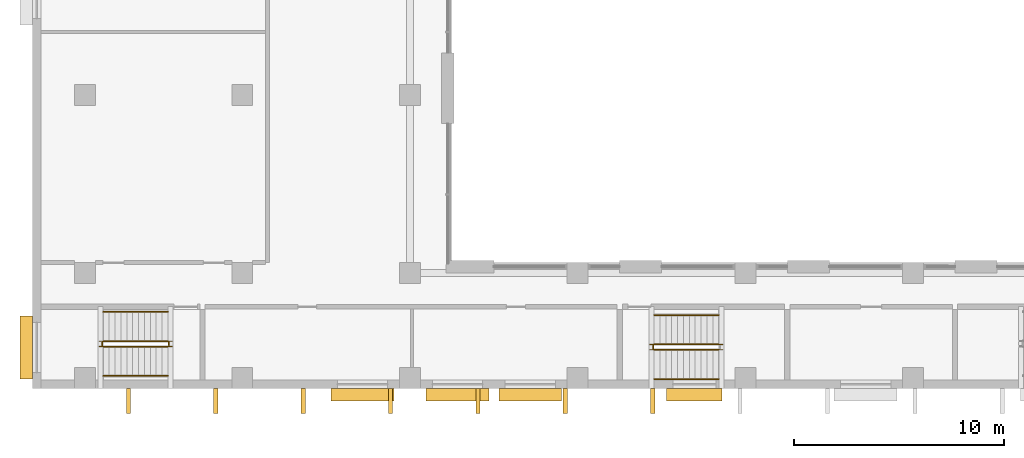
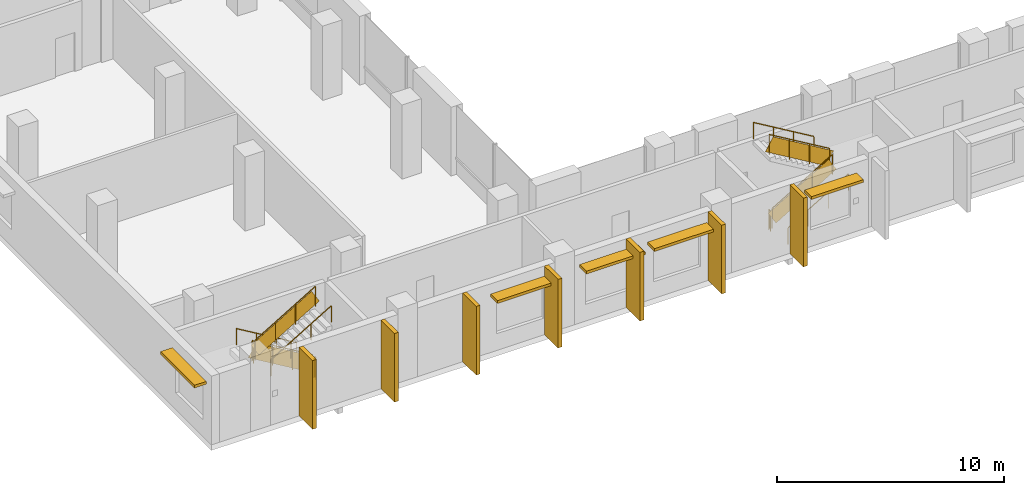
# One storey, part 18 of 25: 12 shading devices, 11 railings.
"""IFC4 building model written with IfcOpenShell, lengths in metres."""

import ifcopenshell
import ifcopenshell.guid

model = None  # the IFC model being written
_history = None  # IfcOwnerHistory: only IFC2X3 demands one
_inside = {}  # id of a spatial element -> (the spatial element, [elements in it])
_under = {}  # id of a project, library or spatial element -> (it, [spatial elements below it])
_declared = {}  # id of a project -> (the project, [libraries it declares])
_typed = {}  # id of a type object -> (the type object, [elements of that type])
_made_of = {}  # id of a material, layer set ... -> (it, [elements and type objects made of it])


def new_model(schema):
    """Start an empty IFC model of exactly this schema.

    Asked for "IFC4X3", IfcOpenShell would pick the latest addendum, in which some entities
    have other attributes; the version numbers below select the first issue.
    IFC2X3 requires an IfcOwnerHistory on every rooted entity: one is made here for all.
    """
    global model, _history
    if schema == "IFC4X3":
        model = ifcopenshell.file(schema_version=(4, 3, 0, 0))
    else:
        model = ifcopenshell.file(schema=schema)
    _inside.clear()
    _under.clear()
    _declared.clear()
    _typed.clear()
    _made_of.clear()
    _history = None
    if model.schema == "IFC2X3":
        org = make("IfcOrganization", Name="unknown")
        user = make(
            "IfcPersonAndOrganization",
            ThePerson=make("IfcPerson", FamilyName="unknown"),
            TheOrganization=org,
        )
        app = make(
            "IfcApplication",
            ApplicationDeveloper=org,
            Version="unknown",
            ApplicationFullName="unknown",
            ApplicationIdentifier="unknown",
        )
        _history = make(
            "IfcOwnerHistory",
            OwningUser=user,
            OwningApplication=app,
            ChangeAction="ADDED",
            CreationDate=0,
        )
    return model


def make(cls, **values):
    """One entity of the class cls with the attributes given. An attribute that is None is left unset."""
    return model.create_entity(
        cls, **{name: value for name, value in values.items() if value is not None}
    )


def rooted(cls, **values):
    """An entity with a GlobalId (a new one), such as an element, a storey or a relation."""
    return make(cls, GlobalId=ifcopenshell.guid.new(), OwnerHistory=_history, **values)


def si_unit(unit_type, name, prefix=None):
    """IfcSIUnit, for example si_unit("LENGTHUNIT", "METRE", prefix="MILLI")."""
    return make("IfcSIUnit", UnitType=unit_type, Prefix=prefix, Name=name)


def assignment(units):
    """IfcUnitAssignment: the units of a project."""
    return None if units is None else make("IfcUnitAssignment", Units=units)


def point(xyz):
    """IfcCartesianPoint."""
    return None if xyz is None else make("IfcCartesianPoint", Coordinates=xyz)


def direction(xyz):
    """IfcDirection."""
    return None if xyz is None else make("IfcDirection", DirectionRatios=xyz)


def frame(location, z_axis=None, x_axis=None):
    """IfcAxis2Placement3D, a coordinate frame: its origin and axes. An axis left out is left unset."""
    return make(
        "IfcAxis2Placement3D",
        Location=point(location),
        Axis=direction(z_axis),
        RefDirection=direction(x_axis),
    )


def frame_2d(location, x_axis=None):
    """IfcAxis2Placement2D, a coordinate frame in the plane: its origin and x axis."""
    return make(
        "IfcAxis2Placement2D", Location=point(location), RefDirection=direction(x_axis)
    )


def origin():
    """The frame at (0, 0, 0) with its axes left unset."""
    return frame((0.0, 0.0, 0.0))


def origin_2d():
    """The frame at (0, 0) in the plane with its x axis left unset."""
    return frame_2d((0.0, 0.0))


def place(relative_to, where):
    """IfcLocalPlacement: puts the frame where relative to a parent placement (None: the world)."""
    return make(
        "IfcLocalPlacement", PlacementRelTo=relative_to, RelativePlacement=where
    )


def context(
    kind, dimensions, precision=None, world=None, true_north=None, identifier=None
):
    """IfcGeometricRepresentationContext, for example the 3D "Model" context."""
    return make(
        "IfcGeometricRepresentationContext",
        ContextIdentifier=identifier,
        ContextType=kind,
        CoordinateSpaceDimension=dimensions,
        Precision=precision,
        WorldCoordinateSystem=world,
        TrueNorth=true_north,
    )


def subcontext(parent, identifier, kind, view, scale=None):
    """IfcGeometricRepresentationSubContext, for example "Body" below "Model"."""
    return make(
        "IfcGeometricRepresentationSubContext",
        ContextIdentifier=identifier,
        ContextType=kind,
        ParentContext=parent,
        TargetScale=scale,
        TargetView=view,
    )


def project(units=None, contexts=None):
    """IfcProject with its units and contexts."""
    return rooted(
        "IfcProject",
        Name="project",
        RepresentationContexts=contexts,
        UnitsInContext=assignment(units),
    )


def spatial(cls, under=None, at=None, **own):
    """A site, building, storey or space (cls), placed at a placement, below another one or the project."""
    s = rooted(cls, ObjectPlacement=at, **own)
    if under is not None:
        _under.setdefault(under.id(), (under, []))[1].append(s)
    return s


def profile(cls, at=None, kind="AREA", **sizes):
    """A parametric profile (cls). Its sizes go by their IFC names, for example OverallWidth=200.0."""
    return make(cls, ProfileType=kind, Position=at, **sizes)


def rectangle(**sizes):
    """IfcRectangleProfileDef."""
    return profile("IfcRectangleProfileDef", **sizes)


def circle(**sizes):
    """IfcCircleProfileDef."""
    return profile("IfcCircleProfileDef", **sizes)


def extrude(swept, where, along, depth):
    """IfcExtrudedAreaSolid: the profile swept, set in the frame where, extruded along a direction by depth."""
    return make(
        "IfcExtrudedAreaSolid",
        SweptArea=swept,
        Position=where,
        ExtrudedDirection=direction(along),
        Depth=depth,
    )


def shape(context_of_items, identifier, shape_type, items):
    """IfcShapeRepresentation: the items that make up one representation, for example the "Body"."""
    return make(
        "IfcShapeRepresentation",
        ContextOfItems=context_of_items,
        RepresentationIdentifier=identifier,
        RepresentationType=shape_type,
        Items=items,
    )


def material(Name=None, Category=None):
    """IfcMaterial."""
    return make("IfcMaterial", Name=Name, Category=Category)


def layer(
    of_material, thickness, ventilated=None, Name=None, Category=None, Priority=None
):
    """IfcMaterialLayer: one layer of a wall or slab, of a material (None: an air gap)."""
    return make(
        "IfcMaterialLayer",
        Material=of_material,
        LayerThickness=thickness,
        IsVentilated=ventilated,
        Name=Name,
        Category=Category,
        Priority=Priority,
    )


def layer_set(layers, Name=None):
    """IfcMaterialLayerSet."""
    return make("IfcMaterialLayerSet", MaterialLayers=layers, LayerSetName=Name)


def made_of(thing, what):
    """Note that an element or type object is made of a material, layer set ...; save() writes the relation."""
    if what is not None:
        _made_of.setdefault(what.id(), (what, []))[1].append(thing)
    return thing


def type_object(cls, material=None, **own):
    """A type object (cls), such as IfcWallType, which elements share."""
    return made_of(rooted(cls, **own), material)


def element(
    cls,
    number,
    at=None,
    inside=None,
    cuts=None,
    type_object=None,
    material=None,
    context=None,
    identifier="Body",
    shape_type=None,
    held_by="IfcProductDefinitionShape",
    body=None,
    shapes=None,
    **own,
):
    """One element of the class cls, such as IfcWall. Its Tag is "e" and its number.

    at: its placement. inside: the storey or other place that contains it. cuts: it is an
    opening in that element (IfcRelVoidsElement). A single representation is given by context,
    identifier, shape_type and body (its items); several are given by shapes. held_by: the class
    of the entity that holds the representations. save() writes the other relations.
    """
    e = rooted(cls, Tag="e%d" % number, ObjectPlacement=at, **own)
    if body is not None:
        shapes = [shape(context, identifier, shape_type, body)]
    if shapes is not None:
        e.Representation = make(held_by, Representations=shapes)
    if inside is not None:
        _inside.setdefault(inside.id(), (inside, []))[1].append(e)
    if cuts is not None:
        rooted(
            "IfcRelVoidsElement", RelatingBuildingElement=cuts, RelatedOpeningElement=e
        )
    if type_object is not None:
        _typed.setdefault(type_object.id(), (type_object, []))[1].append(e)
    return made_of(e, material)


def aggregate(whole, parts):
    """IfcRelAggregates: a whole, such as a stair, and the parts it consists of."""
    return rooted("IfcRelAggregates", RelatingObject=whole, RelatedObjects=parts)


def save(model, path):
    """Write the relations noted so far, then the file.

    IfcRelAggregates (storeys below a building ...), IfcRelContainedInSpatialStructure (elements
    in a storey), IfcRelDefinesByType, IfcRelAssociatesMaterial and IfcRelDeclares: one each for
    every whole, place, type object, material and project.
    """
    for whole, parts in _under.values():
        aggregate(whole, parts)
    for where, things in _inside.values():
        rooted(
            "IfcRelContainedInSpatialStructure",
            RelatedElements=things,
            RelatingStructure=where,
        )
    for kind, things in _typed.values():
        rooted("IfcRelDefinesByType", RelatedObjects=things, RelatingType=kind)
    for what, things in _made_of.values():
        rooted("IfcRelAssociatesMaterial", RelatedObjects=things, RelatingMaterial=what)
    for by, libraries in _declared.values():
        rooted("IfcRelDeclares", RelatingContext=by, RelatedDefinitions=libraries)
    model.write(path)


model = new_model("IFC4")

# Units and contexts
model_context = context("Model", 3, precision=1e-05, world=origin(), true_north=direction((0.0, 1.0)))
body_context = subcontext(model_context, "Body", "Model", "MODEL_VIEW")
ifc_project = project(units=[si_unit("LENGTHUNIT", "METRE"), si_unit("AREAUNIT", "SQUARE_METRE"), si_unit("VOLUMEUNIT", "CUBIC_METRE"), si_unit("PLANEANGLEUNIT", "RADIAN"), si_unit("MASSUNIT", "GRAM", prefix="KILO")], contexts=[model_context])

# Site, building, storey
site_placement = place(None, origin())
site = spatial("IfcSite", under=ifc_project, at=site_placement, CompositionType="ELEMENT")
building_placement = place(site_placement, origin())
building = spatial("IfcBuilding", under=site, at=building_placement, Name="Vidyagriha Tower", CompositionType="ELEMENT")
storey_placement = place(building_placement, frame((0.0, 0.0, 10.0)))
storey = spatial("IfcBuildingStorey", under=building, at=storey_placement, Name="L02", CompositionType="ELEMENT", Elevation=10.0)

# Shading devices
ifc_material_1 = material(Name="Precast concrete C40/50 with brick facing", Category="concrete")
ifc_layer_1 = layer(ifc_material_1, 0.14990234375)
ifc_layer_set_1 = layer_set([ifc_layer_1], Name="Precast concrete C40/50 with brick facing")
shading_device_type_1 = type_object("IfcShadingDeviceType", Name="Brick chhajja window hood", PredefinedType="AWNING", material=ifc_layer_set_1)
shading_device_1_placement = place(storey_placement, frame((-40.300048828125, -48.050048828125, 3.0), z_axis=(0.0, 0.0, 1.0), x_axis=(0.0, -1.0, 0.0)))
element("IfcShadingDevice", 1, at=shading_device_1_placement, inside=storey, type_object=shading_device_type_1, Name="Window hood L02 R05.19", PredefinedType="AWNING", context=body_context, shape_type="SweptSolid", body=[
    extrude(rectangle(XDim=3.0, YDim=0.60009765625, at=origin_2d()), origin(), (0.0, 0.0, 1.0), 0.14990234375),
])
for number, where, name in (
    (2, (-24.264892578125, -50.300048828125, 3.0), "Window hood L02 R06.9"),
    (3, (-19.735107421875, -50.300048828125, 3.0), "Window hood L02 R06.11"),
    (4, (-16.264892578125, -50.300048828125, 3.0), "Window hood L02 R06.12"),
):
    element("IfcShadingDevice", number, at=place(storey_placement, frame(where)), inside=storey, type_object=shading_device_type_1, Name=name, PredefinedType="AWNING", context=body_context, shape_type="SweptSolid", body=[
        extrude(rectangle(XDim=3.0, YDim=0.60009765625, at=origin_2d()), origin(), (0.0, 0.0, 1.0), 0.14990234375),
    ])
shading_device_2_placement = place(storey_placement, frame((-8.43994140625, -50.300048828125, 3.0)))
element("IfcShadingDevice", 5, at=shading_device_2_placement, inside=storey, type_object=shading_device_type_1, Name="Window hood L02 R06.16", PredefinedType="AWNING", context=body_context, shape_type="SweptSolid", body=[
    extrude(rectangle(XDim=2.64990234375, YDim=0.60009765625, at=origin_2d()), origin(), (0.0, 0.0, 1.0), 0.14990234375),
])
ifc_material_2 = material(Name="Precast concrete C40/50 with brick facing", Category="concrete")
ifc_layer_2 = layer(ifc_material_2, 0.199951171875)
ifc_layer_set_2 = layer_set([ifc_layer_2], Name="Precast concrete C40/50 with brick facing")
shading_device_type_2 = type_object("IfcShadingDeviceType", Name="Brick-faced solar fin 1200", PredefinedType="USERDEFINED", material=ifc_layer_set_2)
for number, where, z_axis, x_axis, name in (
    (6, (-35.431640625, -50.0, 0.0), (0.0, 0.0, 1.0), (0.0, -1.0, 0.0), "Solar fin L02 R06.1"),
    (7, (-31.26318359375, -50.0, 0.0), (0.0, 0.0, 1.0), (0.0, -1.0, 0.0), "Solar fin L02 R06.2"),
    (8, (-27.0947265625, -50.0, 0.0), (0.0, 0.0, 1.0), (0.0, -1.0, 0.0), "Solar fin L02 R06.3"),
    (9, (-22.92626953125, -50.0, 0.0), (0.0, 0.0, 1.0), (0.0, -1.0, 0.0), "Solar fin L02 R06.4"),
    (10, (-18.7578125, -50.0, 0.0), (0.0, 0.0, 1.0), (0.0, -1.0, 0.0), "Solar fin L02 R06.5"),
    (11, (-14.589599609375, -50.0, 0.0), (0.0, 0.0, 1.0), (0.0, -1.0, 0.0), "Solar fin L02 R06.6"),
    (12, (-10.421142578125, -50.0, 0.0), (0.0, 0.0, 1.0), (0.0, -1.0, 0.0), "Solar fin L02 R06.7"),
):
    element("IfcShadingDevice", number, at=place(storey_placement, frame(where, z_axis=z_axis, x_axis=x_axis)), inside=storey, type_object=shading_device_type_2, Name=name, ObjectType="SOLAR FIN", PredefinedType="USERDEFINED", context=body_context, shape_type="SweptSolid", body=[
        extrude(rectangle(XDim=1.199951171875, YDim=0.199951171875, at=frame_2d((0.60009765625, 0.0))), origin(), (0.0, 0.0, 1.0), 3.699951171875),
    ])

# Railings
ifc_material_3 = material(Name="Powder coated ASTM A500 Grade C steel balustrade", Category="steel")
railing_type_1 = type_object("IfcRailingType", Name="Podium Stair Guard 1100", PredefinedType="GUARDRAIL", material=ifc_material_3)
railing_1_placement = place(storey_placement, frame((-33.544921875, -47.75, 0.166748046875)))
element("IfcRailing", 13, at=railing_1_placement, inside=storey, type_object=railing_type_1, Name="L02 PS1 stair guard 1", PredefinedType="GUARDRAIL", context=body_context, shape_type="SweptSolid", body=[
    extrude(circle(Radius=0.02392578125, at=origin_2d()), frame((0.0, 0.0, 1.076171875), z_axis=(-0.859308565015, 0.0, 0.511457515432), x_axis=(0.0, -1.0, 0.0)), (0.0, 0.0, 1.0), 3.58447265625),
    extrude(circle(Radius=0.02099609375, at=origin_2d()), origin(), (0.0, 0.0, 1.0), 1.052001953125),
    extrude(circle(Radius=0.02099609375, at=origin_2d()), frame((-1.026611328125, 0.0, 0.611083984375)), (0.0, 0.0, 1.0), 1.052001953125),
    extrude(circle(Radius=0.02099609375, at=origin_2d()), frame((-2.053466796875, 0.0, 1.22216796875)), (0.0, 0.0, 1.0), 1.052001953125),
    extrude(circle(Radius=0.02099609375, at=origin_2d()), frame((-3.080078125, 0.0, 1.833251953125)), (0.0, 0.0, 1.0), 1.052001953125),
    extrude(rectangle(XDim=0.010009765625, YDim=0.775146484375, at=origin_2d()), frame((0.0, 0.0, 0.551025390625), z_axis=(-0.859308565015, 0.0, 0.511457515432), x_axis=(0.0, -1.0, 0.0)), (0.0, 0.0, 1.0), 3.58447265625),
])
railing_2_placement = place(storey_placement, frame((-36.675048828125, -47.800048828125, 2.0)))
element("IfcRailing", 14, at=railing_2_placement, inside=storey, type_object=railing_type_1, Name="L02 PS1 stair guard 2", PredefinedType="GUARDRAIL", context=body_context, shape_type="SweptSolid", body=[
    extrude(circle(Radius=0.02392578125, at=origin_2d()), frame((0.0, 0.0, 1.076171875), z_axis=(0.0, -1.0, 0.0), x_axis=(1.0, 0.0, 0.0)), (0.0, 0.0, 1.0), 0.14990234375),
    extrude(circle(Radius=0.02099609375, at=origin_2d()), origin(), (0.0, 0.0, 1.0), 1.052001953125),
    extrude(circle(Radius=0.02099609375, at=origin_2d()), frame((0.0, -0.14990234375, 0.0)), (0.0, 0.0, 1.0), 1.052001953125),
    extrude(rectangle(XDim=0.010009765625, YDim=0.902099609375, at=origin_2d()), frame((0.0, 0.0, 0.551025390625), z_axis=(0.0, -1.0, 0.0), x_axis=(1.0, 0.0, 0.0)), (0.0, 0.0, 1.0), 0.14990234375),
])
railing_3_placement = place(storey_placement, frame((-36.625, -48.0, 2.166748046875)))
element("IfcRailing", 15, at=railing_3_placement, inside=storey, type_object=railing_type_1, Name="L02 PS1 stair guard 3", PredefinedType="GUARDRAIL", context=body_context, shape_type="SweptSolid", body=[
    extrude(circle(Radius=0.02392578125, at=origin_2d()), frame((0.0, 0.0, 1.076171875), z_axis=(0.859308565015, 0.0, 0.511457515432), x_axis=(0.0, 1.0, 0.0)), (0.0, 0.0, 1.0), 3.58447265625),
    extrude(circle(Radius=0.02099609375, at=origin_2d()), origin(), (0.0, 0.0, 1.0), 1.052001953125),
    extrude(circle(Radius=0.02099609375, at=origin_2d()), frame((1.026611328125, 0.0, 0.611083984375)), (0.0, 0.0, 1.0), 1.052001953125),
    extrude(circle(Radius=0.02099609375, at=origin_2d()), frame((2.053466796875, 0.0, 1.22216796875)), (0.0, 0.0, 1.0), 1.052001953125),
    extrude(circle(Radius=0.02099609375, at=origin_2d()), frame((3.080078125, 0.0, 1.833251953125)), (0.0, 0.0, 1.0), 1.052001953125),
    extrude(rectangle(XDim=0.010009765625, YDim=0.775146484375, at=origin_2d()), frame((0.0, 0.0, 0.551025390625), z_axis=(0.859308565015, 0.0, 0.511457515432), x_axis=(0.0, 1.0, 0.0)), (0.0, 0.0, 1.0), 3.58447265625),
])
railing_4_placement = place(storey_placement, frame((-33.4951171875, -47.800048828125, 0.0)))
element("IfcRailing", 16, at=railing_4_placement, inside=storey, type_object=railing_type_1, Name="L02 PS1 stair guard 4", PredefinedType="GUARDRAIL", context=body_context, shape_type="SweptSolid", body=[
    extrude(circle(Radius=0.02392578125, at=origin_2d()), frame((0.0, 0.0, 1.076171875), z_axis=(0.0, -1.0, 0.0), x_axis=(1.0, 0.0, 0.0)), (0.0, 0.0, 1.0), 0.14990234375),
    extrude(circle(Radius=0.02099609375, at=origin_2d()), origin(), (0.0, 0.0, 1.0), 1.052001953125),
    extrude(circle(Radius=0.02099609375, at=origin_2d()), frame((0.0, -0.14990234375, 0.0)), (0.0, 0.0, 1.0), 1.052001953125),
    extrude(rectangle(XDim=0.010009765625, YDim=0.902099609375, at=origin_2d()), frame((0.0, 0.0, 0.551025390625), z_axis=(0.0, -1.0, 0.0), x_axis=(1.0, 0.0, 0.0)), (0.0, 0.0, 1.0), 0.14990234375),
])
railing_5_placement = place(storey_placement, frame((-10.35498046875, -48.14990234375, 0.166748046875)))
element("IfcRailing", 17, at=railing_5_placement, inside=storey, type_object=railing_type_1, Name="L02 PS3 stair guard 1", PredefinedType="GUARDRAIL", context=body_context, shape_type="SweptSolid", body=[
    extrude(circle(Radius=0.02392578125, at=origin_2d()), frame((0.0, 0.0, 1.076171875), z_axis=(0.859308565015, 0.0, 0.511457515432), x_axis=(0.0, 1.0, 0.0)), (0.0, 0.0, 1.0), 3.58447265625),
    extrude(circle(Radius=0.02099609375, at=origin_2d()), origin(), (0.0, 0.0, 1.0), 1.052001953125),
    extrude(circle(Radius=0.02099609375, at=origin_2d()), frame((1.026611328125, 0.0, 0.611083984375)), (0.0, 0.0, 1.0), 1.052001953125),
    extrude(circle(Radius=0.02099609375, at=origin_2d()), frame((2.053466796875, 0.0, 1.22216796875)), (0.0, 0.0, 1.0), 1.052001953125),
    extrude(circle(Radius=0.02099609375, at=origin_2d()), frame((3.080078125, 0.0, 1.833251953125)), (0.0, 0.0, 1.0), 1.052001953125),
    extrude(rectangle(XDim=0.010009765625, YDim=0.775146484375, at=origin_2d()), frame((0.0, 0.0, 0.551025390625), z_axis=(0.859308565015, 0.0, 0.511457515432), x_axis=(0.0, 1.0, 0.0)), (0.0, 0.0, 1.0), 3.58447265625),
])
railing_6_placement = place(storey_placement, frame((-7.27490234375, -47.89990234375, 2.166748046875)))
element("IfcRailing", 18, at=railing_6_placement, inside=storey, type_object=railing_type_1, Name="L02 PS3 stair guard 3", PredefinedType="GUARDRAIL", context=body_context, shape_type="SweptSolid", body=[
    extrude(circle(Radius=0.02392578125, at=origin_2d()), frame((0.0, 0.0, 1.076171875), z_axis=(-0.859308565015, 0.0, 0.511457515432), x_axis=(0.0, -1.0, 0.0)), (0.0, 0.0, 1.0), 3.58447265625),
    extrude(circle(Radius=0.02099609375, at=origin_2d()), origin(), (0.0, 0.0, 1.0), 1.052001953125),
    extrude(circle(Radius=0.02099609375, at=origin_2d()), frame((-1.026611328125, 0.0, 0.611083984375)), (0.0, 0.0, 1.0), 1.052001953125),
    extrude(circle(Radius=0.02099609375, at=origin_2d()), frame((-2.053466796875, 0.0, 1.22216796875)), (0.0, 0.0, 1.0), 1.052001953125),
    extrude(circle(Radius=0.02099609375, at=origin_2d()), frame((-3.080078125, 0.0, 1.833251953125)), (0.0, 0.0, 1.0), 1.052001953125),
    extrude(rectangle(XDim=0.010009765625, YDim=0.775146484375, at=origin_2d()), frame((0.0, 0.0, 0.551025390625), z_axis=(-0.859308565015, 0.0, 0.511457515432), x_axis=(0.0, -1.0, 0.0)), (0.0, 0.0, 1.0), 3.58447265625),
])
railing_7_placement = place(storey_placement, frame((-10.405029296875, -48.10009765625, 0.0)))
element("IfcRailing", 19, at=railing_7_placement, inside=storey, type_object=railing_type_1, Name="L02 PS3 stair guard 4", PredefinedType="GUARDRAIL", context=body_context, shape_type="SweptSolid", body=[
    extrude(circle(Radius=0.02392578125, at=origin_2d()), frame((0.0, 0.0, 1.076171875), z_axis=(0.0, 1.0, 0.0), x_axis=(-1.0, 0.0, 0.0)), (0.0, 0.0, 1.0), 0.150146484375),
    extrude(circle(Radius=0.02099609375, at=origin_2d()), origin(), (0.0, 0.0, 1.0), 1.052001953125),
    extrude(circle(Radius=0.02099609375, at=origin_2d()), frame((0.0, 0.150146484375, 0.0)), (0.0, 0.0, 1.0), 1.052001953125),
    extrude(rectangle(XDim=0.010009765625, YDim=0.902099609375, at=origin_2d()), frame((0.0, 0.0, 0.551025390625), z_axis=(0.0, 1.0, 0.0), x_axis=(-1.0, 0.0, 0.0)), (0.0, 0.0, 1.0), 0.150146484375),
])
ifc_material_4 = material(Name="Powder coated ASTM A500 Grade C steel handrail", Category="steel")
railing_type_2 = type_object("IfcRailingType", Name="Podium Stair Handrail 900", PredefinedType="HANDRAIL", material=ifc_material_4)
railing_8_placement = place(storey_placement, frame((-33.544921875, -46.35009765625, 0.166748046875)))
element("IfcRailing", 20, at=railing_8_placement, inside=storey, type_object=railing_type_2, Name="L02 PS1 stair handrail 1", PredefinedType="HANDRAIL", context=body_context, shape_type="SweptSolid", body=[
    extrude(circle(Radius=0.02392578125, at=origin_2d()), frame((0.0, 0.0, 0.8759765625), z_axis=(-0.859308565015, 0.0, 0.511457515432), x_axis=(0.0, -1.0, 0.0)), (0.0, 0.0, 1.0), 3.58447265625),
    extrude(circle(Radius=0.02099609375, at=origin_2d()), origin(), (0.0, 0.0, 1.0), 0.851806640625),
    extrude(circle(Radius=0.02099609375, at=origin_2d()), frame((-1.026611328125, 0.0, 0.611083984375)), (0.0, 0.0, 1.0), 0.851806640625),
    extrude(circle(Radius=0.02099609375, at=origin_2d()), frame((-2.053466796875, 0.0, 1.22216796875)), (0.0, 0.0, 1.0), 0.851806640625),
    extrude(circle(Radius=0.02099609375, at=origin_2d()), frame((-3.080078125, 0.0, 1.833251953125)), (0.0, 0.0, 1.0), 0.851806640625),
])
for number, where, name in (
    (21, (-36.625, -49.39990234375, 2.166748046875), "L02 PS1 stair handrail 2"),
    (22, (-10.35498046875, -49.550048828125, 0.166748046875), "L02 PS3 stair handrail 1"),
):
    element("IfcRailing", number, at=place(storey_placement, frame(where)), inside=storey, type_object=railing_type_2, Name=name, PredefinedType="HANDRAIL", context=body_context, shape_type="SweptSolid", body=[
        extrude(circle(Radius=0.02392578125, at=origin_2d()), frame((0.0, 0.0, 0.8759765625), z_axis=(0.859308565015, 0.0, 0.511457515432), x_axis=(0.0, 1.0, 0.0)), (0.0, 0.0, 1.0), 3.58447265625),
        extrude(circle(Radius=0.02099609375, at=origin_2d()), origin(), (0.0, 0.0, 1.0), 0.851806640625),
        extrude(circle(Radius=0.02099609375, at=origin_2d()), frame((1.026611328125, 0.0, 0.611083984375)), (0.0, 0.0, 1.0), 0.851806640625),
        extrude(circle(Radius=0.02099609375, at=origin_2d()), frame((2.053466796875, 0.0, 1.22216796875)), (0.0, 0.0, 1.0), 0.851806640625),
        extrude(circle(Radius=0.02099609375, at=origin_2d()), frame((3.080078125, 0.0, 1.833251953125)), (0.0, 0.0, 1.0), 0.851806640625),
    ])
railing_9_placement = place(storey_placement, frame((-7.27490234375, -46.5, 2.166748046875)))
element("IfcRailing", 23, at=railing_9_placement, inside=storey, type_object=railing_type_2, Name="L02 PS3 stair handrail 2", PredefinedType="HANDRAIL", context=body_context, shape_type="SweptSolid", body=[
    extrude(circle(Radius=0.02392578125, at=origin_2d()), frame((0.0, 0.0, 0.8759765625), z_axis=(-0.859308565015, 0.0, 0.511457515432), x_axis=(0.0, -1.0, 0.0)), (0.0, 0.0, 1.0), 3.58447265625),
    extrude(circle(Radius=0.02099609375, at=origin_2d()), origin(), (0.0, 0.0, 1.0), 0.851806640625),
    extrude(circle(Radius=0.02099609375, at=origin_2d()), frame((-1.026611328125, 0.0, 0.611083984375)), (0.0, 0.0, 1.0), 0.851806640625),
    extrude(circle(Radius=0.02099609375, at=origin_2d()), frame((-2.053466796875, 0.0, 1.22216796875)), (0.0, 0.0, 1.0), 0.851806640625),
    extrude(circle(Radius=0.02099609375, at=origin_2d()), frame((-3.080078125, 0.0, 1.833251953125)), (0.0, 0.0, 1.0), 0.851806640625),
])

save(model, "model.ifc")
